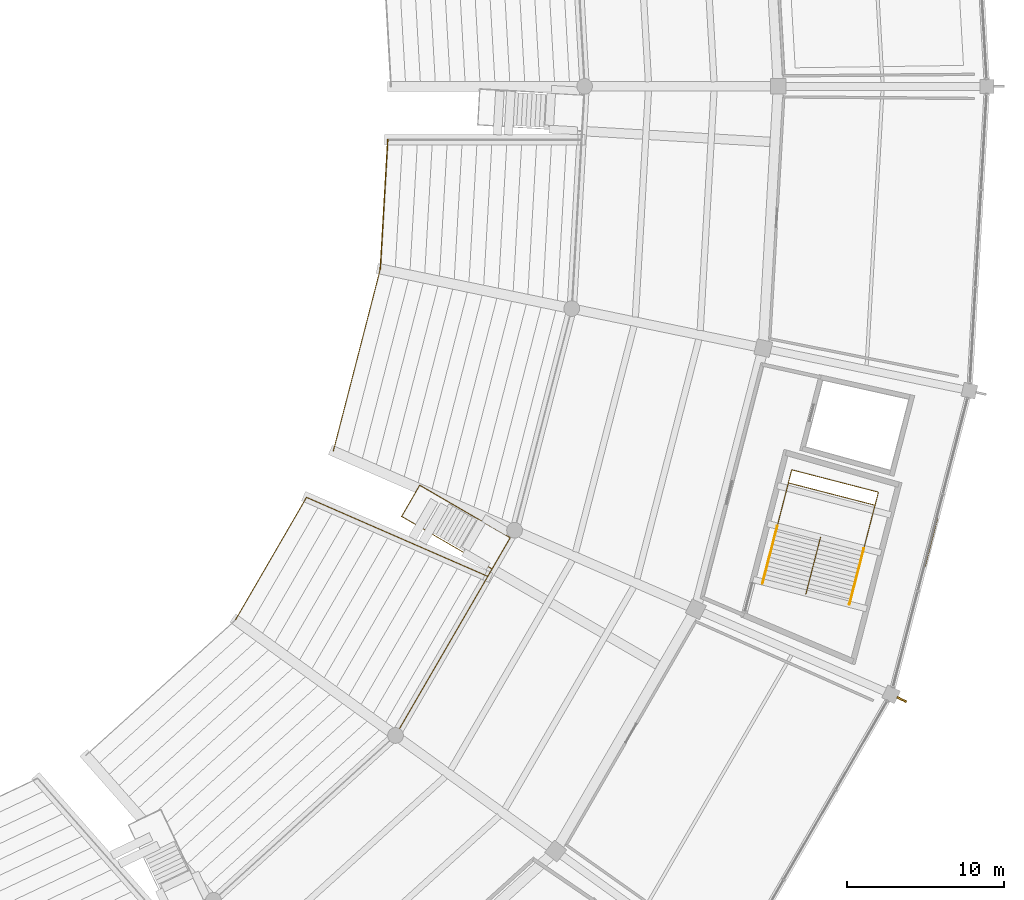
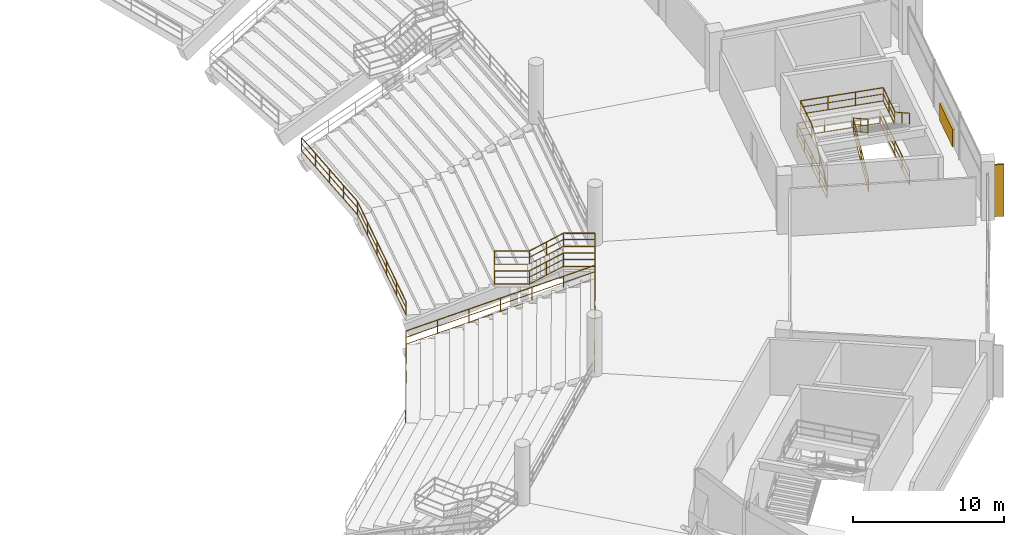
# One storey, part 149 of 156: 11 railings, 2 shading devices.
"""IFC4 building model written with IfcOpenShell, lengths in metres."""

from ifc_helpers import new_model, si_unit, direction, frame, origin, origin_2d, place, context, subcontext, project, spatial, rectangle, extrude, material, type_object, element, save


model = new_model("IFC4")

# Units and contexts
model_context = context("Model", 3, precision=1e-05, world=origin(), true_north=direction((0.0, 1.0)))
body_context = subcontext(model_context, "Body", "Model", "MODEL_VIEW")
ifc_project = project(units=[si_unit("LENGTHUNIT", "METRE"), si_unit("AREAUNIT", "SQUARE_METRE"), si_unit("VOLUMEUNIT", "CUBIC_METRE"), si_unit("PLANEANGLEUNIT", "RADIAN"), si_unit("MASSUNIT", "GRAM", prefix="KILO")], contexts=[model_context])

# Site, building, storey
site_placement = place(None, origin())
site = spatial("IfcSite", under=ifc_project, at=site_placement, CompositionType="ELEMENT")
building_placement = place(site_placement, origin())
building = spatial("IfcBuilding", under=site, at=building_placement, Name="Kazemori Nagisa Stadium", CompositionType="ELEMENT")
storey_placement = place(building_placement, frame((0.0, 0.0, 5.780029296875)))
storey = spatial("IfcBuildingStorey", under=building, at=storey_placement, Name="L01", CompositionType="ELEMENT", Elevation=5.780029296875)

# Shading devices
ifc_material_1 = material(Name="Aluminium 6063-T5 anodised", Category="aluminium")
shading_device_type_1 = type_object("IfcShadingDeviceType", Name="Fin_FN01", PredefinedType="USERDEFINED", material=ifc_material_1)
shading_device_1_placement = place(storey_placement, frame((212.565185546875, 62.9228515625, 0.0), z_axis=(0.0, 0.0, 1.0), x_axis=(0.900968867905, -0.433883739113, 0.0)))
element("IfcShadingDevice", 1, at=shading_device_1_placement, inside=storey, type_object=shading_device_type_1, Name="Aerodynamic wave shading fin L01-27", ObjectType="FIN", PredefinedType="USERDEFINED", context=body_context, shape_type="SweptSolid", body=[
    extrude(rectangle(XDim=0.64990234375, YDim=0.1201171875, at=origin_2d()), origin(), (0.0, 0.0, 1.0), 4.199951171875),
])
shading_device_type_2 = type_object("IfcShadingDeviceType", Name="Louvre_LV01", PredefinedType="JALOUSIE", material=ifc_material_1)
shading_device_2_placement = place(storey_placement, frame((214.3828125, 72.92626953125, -0.010009765625), z_axis=(0.0, 0.0, 1.0), x_axis=(0.249964642418, 0.968254965152, 0.0)))
element("IfcShadingDevice", 2, at=shading_device_2_placement, inside=storey, type_object=shading_device_type_2, Name="Concourse ventilation louvre L01-B27", PredefinedType="JALOUSIE", context=body_context, shape_type="SweptSolid", body=[
    extrude(rectangle(XDim=3.199951171875, YDim=0.179931640625, at=origin_2d()), origin(), (0.0, 0.0, 1.0), 1.39990234375),
])

# Railings
ifc_material_2 = material(Name="Laminated safety glass and stainless steel SUS304", Category="steel")
railing_type_1 = type_object("IfcRailingType", Name="Rail_BAL", PredefinedType="BALUSTRADE", material=ifc_material_2)
railing_1_placement = place(storey_placement, frame((180.301513671875, 60.632568359375, 0.0)))
element("IfcRailing", 3, at=railing_1_placement, inside=storey, type_object=railing_type_1, Name="Concourse bowl balustrade L01-B26", PredefinedType="BALUSTRADE", context=body_context, shape_type="SweptSolid", body=[
    extrude(rectangle(XDim=0.050048828125, YDim=0.050048828125, at=origin_2d()), frame((0.0, 0.0, 1.09521484375), z_axis=(0.501614770263, 0.865091106332, 0.0), x_axis=(-0.865091106332, 0.501614770263, 0.0)), (0.0, 0.0, 1.0), 14.570068359375),
    extrude(rectangle(XDim=0.03759765625, YDim=0.03759765625, at=origin_2d()), frame((0.0, 0.0, 0.58251953125), z_axis=(0.501614770263, 0.865091106332, 0.0), x_axis=(-0.865091106332, 0.501614770263, 0.0)), (0.0, 0.0, 1.0), 14.570068359375),
    extrude(rectangle(XDim=0.03759765625, YDim=0.03759765625, at=origin_2d()), frame((0.0, 0.0, 0.02490234375), z_axis=(0.501614770263, 0.865091106332, 0.0), x_axis=(-0.865091106332, 0.501614770263, 0.0)), (0.0, 0.0, 1.0), 14.570068359375),
    extrude(rectangle(XDim=0.044921875, YDim=0.044921875, at=origin_2d()), origin(), (0.0, 0.0, 1.0), 1.070068359375),
    extrude(rectangle(XDim=0.044921875, YDim=0.044921875, at=origin_2d()), frame((1.044189453125, 1.800537109375, 0.0)), (0.0, 0.0, 1.0), 1.070068359375),
    extrude(rectangle(XDim=0.044921875, YDim=0.044921875, at=origin_2d()), frame((2.088134765625, 3.601318359375, 0.0)), (0.0, 0.0, 1.0), 1.070068359375),
    extrude(rectangle(XDim=0.044921875, YDim=0.044921875, at=origin_2d()), frame((3.13232421875, 5.40185546875, 0.0)), (0.0, 0.0, 1.0), 1.070068359375),
    extrude(rectangle(XDim=0.044921875, YDim=0.044921875, at=origin_2d()), frame((4.17626953125, 7.20263671875, 0.0)), (0.0, 0.0, 1.0), 1.070068359375),
    extrude(rectangle(XDim=0.044921875, YDim=0.044921875, at=origin_2d()), frame((5.220458984375, 9.003173828125, 0.0)), (0.0, 0.0, 1.0), 1.070068359375),
    extrude(rectangle(XDim=0.044921875, YDim=0.044921875, at=origin_2d()), frame((6.264404296875, 10.803955078125, 0.0)), (0.0, 0.0, 1.0), 1.070068359375),
    extrude(rectangle(XDim=0.044921875, YDim=0.044921875, at=origin_2d()), frame((7.30859375, 12.6044921875, 0.0)), (0.0, 0.0, 1.0), 1.070068359375),
])
ifc_material_3 = material(Name="Galvanised powder-coated steel", Category="steel")
railing_type_2 = type_object("IfcRailingType", Name="Rail_GUARD", PredefinedType="GUARDRAIL", material=ifc_material_3)
railing_2_placement = place(storey_placement, frame((203.708740234375, 70.41650390625, 0.0)))
element("IfcRailing", 4, at=railing_2_placement, inside=storey, type_object=railing_type_2, Name="Stair well perimeter guard ST10-L01", PredefinedType="GUARDRAIL", context=body_context, shape_type="SweptSolid", body=[
    extrude(rectangle(XDim=0.050048828125, YDim=0.050048828125, at=origin_2d()), frame((0.0, 0.0, 1.09521484375), z_axis=(0.249962060638, 0.96825563166, 0.0), x_axis=(-0.96825563166, 0.249962060638, 0.0)), (0.0, 0.0, 1.0), 7.380126953125),
    extrude(rectangle(XDim=0.03759765625, YDim=0.03759765625, at=origin_2d()), frame((0.0, 0.0, 0.58251953125), z_axis=(0.249962060638, 0.96825563166, 0.0), x_axis=(-0.96825563166, 0.249962060638, 0.0)), (0.0, 0.0, 1.0), 7.380126953125),
    extrude(rectangle(XDim=0.03759765625, YDim=0.03759765625, at=origin_2d()), frame((0.0, 0.0, 0.02490234375), z_axis=(0.249962060638, 0.96825563166, 0.0), x_axis=(-0.96825563166, 0.249962060638, 0.0)), (0.0, 0.0, 1.0), 7.380126953125),
    extrude(rectangle(XDim=0.050048828125, YDim=0.050048828125, at=origin_2d()), frame((1.8447265625, 7.145751953125, 1.09521484375), z_axis=(0.968254587534, -0.249966105142, 0.0), x_axis=(0.249966105142, 0.968254587534, 0.0)), (0.0, 0.0, 1.0), 5.699951171875),
    extrude(rectangle(XDim=0.03759765625, YDim=0.03759765625, at=origin_2d()), frame((1.8447265625, 7.145751953125, 0.58251953125), z_axis=(0.968254587534, -0.249966105142, 0.0), x_axis=(0.249966105142, 0.968254587534, 0.0)), (0.0, 0.0, 1.0), 5.699951171875),
    extrude(rectangle(XDim=0.03759765625, YDim=0.03759765625, at=origin_2d()), frame((1.8447265625, 7.145751953125, 0.02490234375), z_axis=(0.968254587534, -0.249966105142, 0.0), x_axis=(0.249966105142, 0.968254587534, 0.0)), (0.0, 0.0, 1.0), 5.699951171875),
    extrude(rectangle(XDim=0.050048828125, YDim=0.050048828125, at=origin_2d()), frame((7.36376953125, 5.720947265625, 1.09521484375), z_axis=(-0.249962060638, -0.96825563166, 0.0), x_axis=(0.96825563166, -0.249962060638, 0.0)), (0.0, 0.0, 1.0), 7.380126953125),
    extrude(rectangle(XDim=0.03759765625, YDim=0.03759765625, at=origin_2d()), frame((7.36376953125, 5.720947265625, 0.58251953125), z_axis=(-0.249962060638, -0.96825563166, 0.0), x_axis=(0.96825563166, -0.249962060638, 0.0)), (0.0, 0.0, 1.0), 7.380126953125),
    extrude(rectangle(XDim=0.03759765625, YDim=0.03759765625, at=origin_2d()), frame((7.36376953125, 5.720947265625, 0.02490234375), z_axis=(-0.249962060638, -0.96825563166, 0.0), x_axis=(0.96825563166, -0.249962060638, 0.0)), (0.0, 0.0, 1.0), 7.380126953125),
    extrude(rectangle(XDim=0.044921875, YDim=0.044921875, at=origin_2d()), origin(), (0.0, 0.0, 1.0), 1.070068359375),
    extrude(rectangle(XDim=0.044921875, YDim=0.044921875, at=origin_2d()), frame((0.461181640625, 1.786376953125, 0.0)), (0.0, 0.0, 1.0), 1.070068359375),
    extrude(rectangle(XDim=0.044921875, YDim=0.044921875, at=origin_2d()), frame((0.92236328125, 3.57275390625, 0.0)), (0.0, 0.0, 1.0), 1.070068359375),
    extrude(rectangle(XDim=0.044921875, YDim=0.044921875, at=origin_2d()), frame((1.383544921875, 5.359375, 0.0)), (0.0, 0.0, 1.0), 1.070068359375),
    extrude(rectangle(XDim=0.044921875, YDim=0.044921875, at=origin_2d()), frame((1.8447265625, 7.145751953125, 0.0)), (0.0, 0.0, 1.0), 1.070068359375),
    extrude(rectangle(XDim=0.044921875, YDim=0.044921875, at=origin_2d()), frame((3.684326171875, 6.6708984375, 0.0)), (0.0, 0.0, 1.0), 1.070068359375),
    extrude(rectangle(XDim=0.044921875, YDim=0.044921875, at=origin_2d()), frame((5.524169921875, 6.19580078125, 0.0)), (0.0, 0.0, 1.0), 1.070068359375),
    extrude(rectangle(XDim=0.044921875, YDim=0.044921875, at=origin_2d()), frame((7.36376953125, 5.720947265625, 0.0)), (0.0, 0.0, 1.0), 1.070068359375),
    extrude(rectangle(XDim=0.044921875, YDim=0.044921875, at=origin_2d()), frame((6.902587890625, 3.9345703125, 0.0)), (0.0, 0.0, 1.0), 1.070068359375),
    extrude(rectangle(XDim=0.044921875, YDim=0.044921875, at=origin_2d()), frame((6.44140625, 2.14794921875, 0.0)), (0.0, 0.0, 1.0), 1.070068359375),
    extrude(rectangle(XDim=0.044921875, YDim=0.044921875, at=origin_2d()), frame((5.980224609375, 0.361572265625, 0.0)), (0.0, 0.0, 1.0), 1.070068359375),
    extrude(rectangle(XDim=0.044921875, YDim=0.044921875, at=origin_2d()), frame((5.51904296875, -1.4248046875, 0.0)), (0.0, 0.0, 1.0), 1.070068359375),
])
railing_3_placement = place(storey_placement, frame((206.4482421875, 69.626708984375, 0.0)))
element("IfcRailing", 5, at=railing_3_placement, inside=storey, type_object=railing_type_2, Name="Stair central guard ST10-L01", PredefinedType="GUARDRAIL", context=body_context, shape_type="SweptSolid", body=[
    extrude(rectangle(XDim=0.050048828125, YDim=0.050048828125, at=origin_2d()), frame((0.0, 0.0, 1.09521484375), z_axis=(0.211103181909, 0.817832618365, 0.535336580971), x_axis=(-0.968263113111, 0.249933078619, 0.0)), (0.0, 0.0, 1.0), 4.445556640625),
    extrude(rectangle(XDim=0.03759765625, YDim=0.03759765625, at=origin_2d()), frame((0.0, 0.0, 0.58251953125), z_axis=(0.211103181909, 0.817832618365, 0.535336580971), x_axis=(-0.968263113111, 0.249933078619, 0.0)), (0.0, 0.0, 1.0), 4.445556640625),
    extrude(rectangle(XDim=0.03759765625, YDim=0.03759765625, at=origin_2d()), frame((0.0, 0.0, 0.02490234375), z_axis=(0.211103181909, 0.817832618365, 0.535336580971), x_axis=(-0.968263113111, 0.249933078619, 0.0)), (0.0, 0.0, 1.0), 4.445556640625),
    extrude(rectangle(XDim=0.050048828125, YDim=0.050048828125, at=origin_2d()), frame((0.9384765625, 3.6357421875, 3.47509765625), z_axis=(-0.209769833821, -0.812704765535, 0.543606089825), x_axis=(0.96826591561, -0.249922221237, 0.0)), (0.0, 0.0, 1.0), 4.37841796875),
    extrude(rectangle(XDim=0.03759765625, YDim=0.03759765625, at=origin_2d()), frame((0.9384765625, 3.6357421875, 2.96240234375), z_axis=(-0.209769833821, -0.812704765535, 0.543606089825), x_axis=(0.96826591561, -0.249922221237, 0.0)), (0.0, 0.0, 1.0), 4.37841796875),
    extrude(rectangle(XDim=0.03759765625, YDim=0.03759765625, at=origin_2d()), frame((0.9384765625, 3.6357421875, 2.40478515625), z_axis=(-0.209769833821, -0.812704765535, 0.543606089825), x_axis=(0.96826591561, -0.249922221237, 0.0)), (0.0, 0.0, 1.0), 4.37841796875),
    extrude(rectangle(XDim=0.044921875, YDim=0.044921875, at=origin_2d()), origin(), (0.0, 0.0, 1.0), 1.070068359375),
    extrude(rectangle(XDim=0.044921875, YDim=0.044921875, at=origin_2d()), frame((0.46923828125, 1.81787109375, 1.18994140625)), (0.0, 0.0, 1.0), 1.070068359375),
    extrude(rectangle(XDim=0.044921875, YDim=0.044921875, at=origin_2d()), frame((0.9384765625, 3.6357421875, 2.3798828125)), (0.0, 0.0, 1.0), 1.070068359375),
    extrude(rectangle(XDim=0.044921875, YDim=0.044921875, at=origin_2d()), frame((0.479248046875, 1.8564453125, 3.56982421875)), (0.0, 0.0, 1.0), 1.070068359375),
    extrude(rectangle(XDim=0.044921875, YDim=0.044921875, at=origin_2d()), frame((0.02001953125, 0.077392578125, 4.760009765625)), (0.0, 0.0, 1.0), 1.070068359375),
])
railing_4_placement = place(storey_placement, frame((204.627197265625, 73.974853515625, 2.3798828125)))
element("IfcRailing", 6, at=railing_4_placement, inside=storey, type_object=railing_type_2, Name="Stair landing guard ST10-L01", PredefinedType="GUARDRAIL", context=body_context, shape_type="SweptSolid", body=[
    extrude(rectangle(XDim=0.050048828125, YDim=0.050048828125, at=origin_2d()), frame((0.0, 0.0, 1.09521484375), z_axis=(0.249966105142, 0.968254587534, 0.0), x_axis=(-0.968254587534, 0.249966105142, 0.0)), (0.0, 0.0, 1.0), 2.85009765625),
    extrude(rectangle(XDim=0.03759765625, YDim=0.03759765625, at=origin_2d()), frame((0.0, 0.0, 0.58251953125), z_axis=(0.249966105142, 0.968254587534, 0.0), x_axis=(-0.968254587534, 0.249966105142, 0.0)), (0.0, 0.0, 1.0), 2.85009765625),
    extrude(rectangle(XDim=0.03759765625, YDim=0.03759765625, at=origin_2d()), frame((0.0, 0.0, 0.02490234375), z_axis=(0.249966105142, 0.968254587534, 0.0), x_axis=(-0.968254587534, 0.249966105142, 0.0)), (0.0, 0.0, 1.0), 2.85009765625),
    extrude(rectangle(XDim=0.050048828125, YDim=0.050048828125, at=origin_2d()), frame((0.71240234375, 2.759521484375, 1.09521484375), z_axis=(0.968257263626, -0.249955738953, 0.0), x_axis=(0.249955738953, 0.968257263626, 0.0)), (0.0, 0.0, 1.0), 5.7001953125),
    extrude(rectangle(XDim=0.03759765625, YDim=0.03759765625, at=origin_2d()), frame((0.71240234375, 2.759521484375, 0.58251953125), z_axis=(0.968257263626, -0.249955738953, 0.0), x_axis=(0.249955738953, 0.968257263626, 0.0)), (0.0, 0.0, 1.0), 5.7001953125),
    extrude(rectangle(XDim=0.03759765625, YDim=0.03759765625, at=origin_2d()), frame((0.71240234375, 2.759521484375, 0.02490234375), z_axis=(0.968257263626, -0.249955738953, 0.0), x_axis=(0.249955738953, 0.968257263626, 0.0)), (0.0, 0.0, 1.0), 5.7001953125),
    extrude(rectangle(XDim=0.050048828125, YDim=0.050048828125, at=origin_2d()), frame((6.231689453125, 1.334716796875, 1.09521484375), z_axis=(-0.249966105142, -0.968254587534, 0.0), x_axis=(0.968254587534, -0.249966105142, 0.0)), (0.0, 0.0, 1.0), 2.85009765625),
    extrude(rectangle(XDim=0.03759765625, YDim=0.03759765625, at=origin_2d()), frame((6.231689453125, 1.334716796875, 0.58251953125), z_axis=(-0.249966105142, -0.968254587534, 0.0), x_axis=(0.968254587534, -0.249966105142, 0.0)), (0.0, 0.0, 1.0), 2.85009765625),
    extrude(rectangle(XDim=0.03759765625, YDim=0.03759765625, at=origin_2d()), frame((6.231689453125, 1.334716796875, 0.02490234375), z_axis=(-0.249966105142, -0.968254587534, 0.0), x_axis=(0.968254587534, -0.249966105142, 0.0)), (0.0, 0.0, 1.0), 2.85009765625),
    extrude(rectangle(XDim=0.044921875, YDim=0.044921875, at=origin_2d()), origin(), (0.0, 0.0, 1.0), 1.070068359375),
    extrude(rectangle(XDim=0.044921875, YDim=0.044921875, at=origin_2d()), frame((0.356201171875, 1.3798828125, 0.0)), (0.0, 0.0, 1.0), 1.070068359375),
    extrude(rectangle(XDim=0.044921875, YDim=0.044921875, at=origin_2d()), frame((0.71240234375, 2.759521484375, 0.0)), (0.0, 0.0, 1.0), 1.070068359375),
    extrude(rectangle(XDim=0.044921875, YDim=0.044921875, at=origin_2d()), frame((2.55224609375, 2.28466796875, 0.0)), (0.0, 0.0, 1.0), 1.070068359375),
    extrude(rectangle(XDim=0.044921875, YDim=0.044921875, at=origin_2d()), frame((4.391845703125, 1.8095703125, 0.0)), (0.0, 0.0, 1.0), 1.070068359375),
    extrude(rectangle(XDim=0.044921875, YDim=0.044921875, at=origin_2d()), frame((6.231689453125, 1.334716796875, 0.0)), (0.0, 0.0, 1.0), 1.070068359375),
    extrude(rectangle(XDim=0.044921875, YDim=0.044921875, at=origin_2d()), frame((5.87548828125, -0.044921875, 0.0)), (0.0, 0.0, 1.0), 1.070068359375),
    extrude(rectangle(XDim=0.044921875, YDim=0.044921875, at=origin_2d()), frame((5.519287109375, -1.4248046875, 0.0)), (0.0, 0.0, 1.0), 1.070068359375),
])
railing_5_placement = place(storey_placement, frame((187.610107421875, 73.237060546875, 0.0)))
element("IfcRailing", 7, at=railing_5_placement, inside=storey, type_object=railing_type_2, Name="Vomitory stair guard VL11", PredefinedType="GUARDRAIL", context=body_context, shape_type="SweptSolid", body=[
    extrude(rectangle(XDim=0.050048828125, YDim=0.050048828125, at=origin_2d()), frame((0.0, 0.0, 1.09521484375), z_axis=(-0.865070542183, 0.501650233775, 0.0), x_axis=(-0.501650233775, -0.865070542183, 0.0)), (0.0, 0.0, 1.0), 2.10009765625),
    extrude(rectangle(XDim=0.03759765625, YDim=0.03759765625, at=origin_2d()), frame((0.0, 0.0, 0.58251953125), z_axis=(-0.865070542183, 0.501650233775, 0.0), x_axis=(-0.501650233775, -0.865070542183, 0.0)), (0.0, 0.0, 1.0), 2.10009765625),
    extrude(rectangle(XDim=0.03759765625, YDim=0.03759765625, at=origin_2d()), frame((0.0, 0.0, 0.02490234375), z_axis=(-0.865070542183, 0.501650233775, 0.0), x_axis=(-0.501650233775, -0.865070542183, 0.0)), (0.0, 0.0, 1.0), 2.10009765625),
    extrude(rectangle(XDim=0.050048828125, YDim=0.050048828125, at=origin_2d()), frame((-1.816650390625, 1.053466796875, 1.09521484375), z_axis=(-0.728688652937, 0.422425555484, -0.539044986206), x_axis=(-0.501528081562, -0.865141366139, 0.0)), (0.0, 0.0, 1.0), 2.67138671875),
    extrude(rectangle(XDim=0.03759765625, YDim=0.03759765625, at=origin_2d()), frame((-1.816650390625, 1.053466796875, 0.58251953125), z_axis=(-0.728688652937, 0.422425555484, -0.539044986206), x_axis=(-0.501528081562, -0.865141366139, 0.0)), (0.0, 0.0, 1.0), 2.67138671875),
    extrude(rectangle(XDim=0.03759765625, YDim=0.03759765625, at=origin_2d()), frame((-1.816650390625, 1.053466796875, 0.02490234375), z_axis=(-0.728688652937, 0.422425555484, -0.539044986206), x_axis=(-0.501528081562, -0.865141366139, 0.0)), (0.0, 0.0, 1.0), 2.67138671875),
    extrude(rectangle(XDim=0.050048828125, YDim=0.050048828125, at=origin_2d()), frame((-3.76318359375, 2.181884765625, -0.3447265625), z_axis=(-0.865085074212, 0.501625173187, 0.0), x_axis=(-0.501625173187, -0.865085074212, 0.0)), (0.0, 0.0, 1.0), 2.320068359375),
    extrude(rectangle(XDim=0.03759765625, YDim=0.03759765625, at=origin_2d()), frame((-3.76318359375, 2.181884765625, -0.857421875), z_axis=(-0.865085074212, 0.501625173187, 0.0), x_axis=(-0.501625173187, -0.865085074212, 0.0)), (0.0, 0.0, 1.0), 2.320068359375),
    extrude(rectangle(XDim=0.03759765625, YDim=0.03759765625, at=origin_2d()), frame((-3.76318359375, 2.181884765625, -1.4150390625), z_axis=(-0.865085074212, 0.501625173187, 0.0), x_axis=(-0.501625173187, -0.865085074212, 0.0)), (0.0, 0.0, 1.0), 2.320068359375),
    extrude(rectangle(XDim=0.050048828125, YDim=0.050048828125, at=origin_2d()), frame((-5.770263671875, 3.345703125, -0.3447265625), z_axis=(-0.501559221539, -0.865123313343, 0.0), x_axis=(0.865123313343, -0.501559221539, 0.0)), (0.0, 0.0, 1.0), 2.300048828125),
    extrude(rectangle(XDim=0.03759765625, YDim=0.03759765625, at=origin_2d()), frame((-5.770263671875, 3.345703125, -0.857421875), z_axis=(-0.501559221539, -0.865123313343, 0.0), x_axis=(0.865123313343, -0.501559221539, 0.0)), (0.0, 0.0, 1.0), 2.300048828125),
    extrude(rectangle(XDim=0.03759765625, YDim=0.03759765625, at=origin_2d()), frame((-5.770263671875, 3.345703125, -1.4150390625), z_axis=(-0.501559221539, -0.865123313343, 0.0), x_axis=(0.865123313343, -0.501559221539, 0.0)), (0.0, 0.0, 1.0), 2.300048828125),
    extrude(rectangle(XDim=0.050048828125, YDim=0.050048828125, at=origin_2d()), frame((-6.923828125, 1.35595703125, -0.3447265625), z_axis=(0.865130736866, -0.501546416726, 0.0), x_axis=(0.501546416726, 0.865130736866, 0.0)), (0.0, 0.0, 1.0), 2.320068359375),
    extrude(rectangle(XDim=0.03759765625, YDim=0.03759765625, at=origin_2d()), frame((-6.923828125, 1.35595703125, -0.857421875), z_axis=(0.865130736866, -0.501546416726, 0.0), x_axis=(0.501546416726, 0.865130736866, 0.0)), (0.0, 0.0, 1.0), 2.320068359375),
    extrude(rectangle(XDim=0.03759765625, YDim=0.03759765625, at=origin_2d()), frame((-6.923828125, 1.35595703125, -1.4150390625), z_axis=(0.865130736866, -0.501546416726, 0.0), x_axis=(0.501546416726, 0.865130736866, 0.0)), (0.0, 0.0, 1.0), 2.320068359375),
    extrude(rectangle(XDim=0.050048828125, YDim=0.050048828125, at=origin_2d()), frame((-4.916748046875, 0.1923828125, -0.3447265625), z_axis=(0.72861764717, -0.422528773566, 0.539060070624), x_axis=(0.501656377923, 0.865066979192, 0.0)), (0.0, 0.0, 1.0), 2.671142578125),
    extrude(rectangle(XDim=0.03759765625, YDim=0.03759765625, at=origin_2d()), frame((-4.916748046875, 0.1923828125, -0.857421875), z_axis=(0.72861764717, -0.422528773566, 0.539060070624), x_axis=(0.501656377923, 0.865066979192, 0.0)), (0.0, 0.0, 1.0), 2.671142578125),
    extrude(rectangle(XDim=0.03759765625, YDim=0.03759765625, at=origin_2d()), frame((-4.916748046875, 0.1923828125, -1.4150390625), z_axis=(0.72861764717, -0.422528773566, 0.539060070624), x_axis=(0.501656377923, 0.865066979192, 0.0)), (0.0, 0.0, 1.0), 2.671142578125),
    extrude(rectangle(XDim=0.050048828125, YDim=0.050048828125, at=origin_2d()), frame((-2.970458984375, -0.936279296875, 1.09521484375), z_axis=(0.865070542183, -0.501650233775, 0.0), x_axis=(0.501650233775, 0.865070542183, 0.0)), (0.0, 0.0, 1.0), 2.10009765625),
    extrude(rectangle(XDim=0.03759765625, YDim=0.03759765625, at=origin_2d()), frame((-2.970458984375, -0.936279296875, 0.58251953125), z_axis=(0.865070542183, -0.501650233775, 0.0), x_axis=(0.501650233775, 0.865070542183, 0.0)), (0.0, 0.0, 1.0), 2.10009765625),
    extrude(rectangle(XDim=0.03759765625, YDim=0.03759765625, at=origin_2d()), frame((-2.970458984375, -0.936279296875, 0.02490234375), z_axis=(0.865070542183, -0.501650233775, 0.0), x_axis=(0.501650233775, 0.865070542183, 0.0)), (0.0, 0.0, 1.0), 2.10009765625),
    extrude(rectangle(XDim=0.044921875, YDim=0.044921875, at=origin_2d()), origin(), (0.0, 0.0, 1.0), 1.070068359375),
    extrude(rectangle(XDim=0.044921875, YDim=0.044921875, at=origin_2d()), frame((-1.816650390625, 1.053466796875, 0.0)), (0.0, 0.0, 1.0), 1.070068359375),
    extrude(rectangle(XDim=0.044921875, YDim=0.044921875, at=origin_2d()), frame((-2.7900390625, 1.61767578125, -0.719970703125)), (0.0, 0.0, 1.0), 1.070068359375),
    extrude(rectangle(XDim=0.044921875, YDim=0.044921875, at=origin_2d()), frame((-3.76318359375, 2.181884765625, -1.43994140625)), (0.0, 0.0, 1.0), 1.070068359375),
    extrude(rectangle(XDim=0.044921875, YDim=0.044921875, at=origin_2d()), frame((-5.770263671875, 3.345703125, -1.43994140625)), (0.0, 0.0, 1.0), 1.070068359375),
    extrude(rectangle(XDim=0.044921875, YDim=0.044921875, at=origin_2d()), frame((-6.923828125, 1.35595703125, -1.43994140625)), (0.0, 0.0, 1.0), 1.070068359375),
    extrude(rectangle(XDim=0.044921875, YDim=0.044921875, at=origin_2d()), frame((-4.916748046875, 0.1923828125, -1.43994140625)), (0.0, 0.0, 1.0), 1.070068359375),
    extrude(rectangle(XDim=0.044921875, YDim=0.044921875, at=origin_2d()), frame((-3.943603515625, -0.3720703125, -0.719970703125)), (0.0, 0.0, 1.0), 1.070068359375),
    extrude(rectangle(XDim=0.044921875, YDim=0.044921875, at=origin_2d()), frame((-2.970458984375, -0.936279296875, 0.0)), (0.0, 0.0, 1.0), 1.070068359375),
    extrude(rectangle(XDim=0.044921875, YDim=0.044921875, at=origin_2d()), frame((-1.15380859375, -1.98974609375, 0.0)), (0.0, 0.0, 1.0), 1.070068359375),
])
railing_6_placement = place(storey_placement, frame((170.09716796875, 67.99951171875, -4.919921875)))
element("IfcRailing", 8, at=railing_6_placement, inside=storey, type_object=railing_type_2, Name="Lower tier pitch-side crowd barrier B26", PredefinedType="GUARDRAIL", context=body_context, shape_type="SweptSolid", body=[
    extrude(rectangle(XDim=0.050048828125, YDim=0.050048828125, at=origin_2d()), frame((0.0, 0.0, 1.09521484375), z_axis=(0.501627829618, 0.865083533858, 0.0), x_axis=(-0.865083533858, 0.501627829618, 0.0)), (0.0, 0.0, 1.0), 9.02734375),
    extrude(rectangle(XDim=0.03759765625, YDim=0.03759765625, at=origin_2d()), frame((0.0, 0.0, 0.58251953125), z_axis=(0.501627829618, 0.865083533858, 0.0), x_axis=(-0.865083533858, 0.501627829618, 0.0)), (0.0, 0.0, 1.0), 9.02734375),
    extrude(rectangle(XDim=0.03759765625, YDim=0.03759765625, at=origin_2d()), frame((0.0, 0.0, 0.02490234375), z_axis=(0.501627829618, 0.865083533858, 0.0), x_axis=(-0.865083533858, 0.501627829618, 0.0)), (0.0, 0.0, 1.0), 9.02734375),
    extrude(rectangle(XDim=0.044921875, YDim=0.044921875, at=origin_2d()), origin(), (0.0, 0.0, 1.0), 1.070068359375),
    extrude(rectangle(XDim=0.044921875, YDim=0.044921875, at=origin_2d()), frame((1.132080078125, 1.952392578125, 0.0)), (0.0, 0.0, 1.0), 1.070068359375),
    extrude(rectangle(XDim=0.044921875, YDim=0.044921875, at=origin_2d()), frame((2.26416015625, 3.90478515625, 0.0)), (0.0, 0.0, 1.0), 1.070068359375),
    extrude(rectangle(XDim=0.044921875, YDim=0.044921875, at=origin_2d()), frame((3.396240234375, 5.85693359375, 0.0)), (0.0, 0.0, 1.0), 1.070068359375),
    extrude(rectangle(XDim=0.044921875, YDim=0.044921875, at=origin_2d()), frame((4.5283203125, 7.809326171875, 0.0)), (0.0, 0.0, 1.0), 1.070068359375),
])
railing_7_placement = place(storey_placement, frame((174.62548828125, 75.808837890625, -4.919921875)))
element("IfcRailing", 9, at=railing_7_placement, inside=storey, type_object=railing_type_2, Name="Lower tier vomitory aisle guard B26", PredefinedType="GUARDRAIL", context=body_context, shape_type="SweptSolid", body=[
    extrude(rectangle(XDim=0.050048828125, YDim=0.050048828125, at=origin_2d()), frame((0.0, 0.0, 1.09521484375), z_axis=(0.86717007393, -0.378041372845, 0.324192509627), x_axis=(0.399624648835, 0.916678864185, 0.0)), (0.0, 0.0, 1.0), 13.324951171875),
    extrude(rectangle(XDim=0.03759765625, YDim=0.03759765625, at=origin_2d()), frame((0.0, 0.0, 0.58251953125), z_axis=(0.86717007393, -0.378041372845, 0.324192509627), x_axis=(0.399624648835, 0.916678864185, 0.0)), (0.0, 0.0, 1.0), 13.324951171875),
    extrude(rectangle(XDim=0.03759765625, YDim=0.03759765625, at=origin_2d()), frame((0.0, 0.0, 0.02490234375), z_axis=(0.86717007393, -0.378041372845, 0.324192509627), x_axis=(0.399624648835, 0.916678864185, 0.0)), (0.0, 0.0, 1.0), 13.324951171875),
    extrude(rectangle(XDim=0.044921875, YDim=0.044921875, at=origin_2d()), origin(), (0.0, 0.0, 1.0), 1.070068359375),
    extrude(rectangle(XDim=0.044921875, YDim=0.044921875, at=origin_2d()), frame((1.92578125, -0.839599609375, 0.719970703125)), (0.0, 0.0, 1.0), 1.070068359375),
    extrude(rectangle(XDim=0.044921875, YDim=0.044921875, at=origin_2d()), frame((3.8515625, -1.67919921875, 1.43994140625)), (0.0, 0.0, 1.0), 1.070068359375),
    extrude(rectangle(XDim=0.044921875, YDim=0.044921875, at=origin_2d()), frame((5.77734375, -2.5185546875, 2.159912109375)), (0.0, 0.0, 1.0), 1.070068359375),
    extrude(rectangle(XDim=0.044921875, YDim=0.044921875, at=origin_2d()), frame((7.703369140625, -3.358154296875, 2.8798828125)), (0.0, 0.0, 1.0), 1.070068359375),
    extrude(rectangle(XDim=0.044921875, YDim=0.044921875, at=origin_2d()), frame((9.629150390625, -4.19775390625, 3.599853515625)), (0.0, 0.0, 1.0), 1.070068359375),
    extrude(rectangle(XDim=0.044921875, YDim=0.044921875, at=origin_2d()), frame((11.554931640625, -5.037353515625, 4.31982421875)), (0.0, 0.0, 1.0), 1.070068359375),
])
railing_8_placement = place(storey_placement, frame((176.3310546875, 78.750244140625, -4.919921875)))
element("IfcRailing", 10, at=railing_8_placement, inside=storey, type_object=railing_type_2, Name="Lower tier pitch-side crowd barrier B27", PredefinedType="GUARDRAIL", context=body_context, shape_type="SweptSolid", body=[
    extrude(rectangle(XDim=0.050048828125, YDim=0.050048828125, at=origin_2d()), frame((0.0, 0.0, 1.09521484375), z_axis=(0.249948828341, 0.968259047575, 0.0), x_axis=(-0.968259047575, 0.249948828341, 0.0)), (0.0, 0.0, 1.0), 11.99169921875),
    extrude(rectangle(XDim=0.03759765625, YDim=0.03759765625, at=origin_2d()), frame((0.0, 0.0, 0.58251953125), z_axis=(0.249948828341, 0.968259047575, 0.0), x_axis=(-0.968259047575, 0.249948828341, 0.0)), (0.0, 0.0, 1.0), 11.99169921875),
    extrude(rectangle(XDim=0.03759765625, YDim=0.03759765625, at=origin_2d()), frame((0.0, 0.0, 0.02490234375), z_axis=(0.249948828341, 0.968259047575, 0.0), x_axis=(-0.968259047575, 0.249948828341, 0.0)), (0.0, 0.0, 1.0), 11.99169921875),
    extrude(rectangle(XDim=0.044921875, YDim=0.044921875, at=origin_2d()), origin(), (0.0, 0.0, 1.0), 1.070068359375),
    extrude(rectangle(XDim=0.044921875, YDim=0.044921875, at=origin_2d()), frame((0.599365234375, 2.322265625, 0.0)), (0.0, 0.0, 1.0), 1.070068359375),
    extrude(rectangle(XDim=0.044921875, YDim=0.044921875, at=origin_2d()), frame((1.198974609375, 4.64453125, 0.0)), (0.0, 0.0, 1.0), 1.070068359375),
    extrude(rectangle(XDim=0.044921875, YDim=0.044921875, at=origin_2d()), frame((1.79833984375, 6.966552734375, 0.0)), (0.0, 0.0, 1.0), 1.070068359375),
    extrude(rectangle(XDim=0.044921875, YDim=0.044921875, at=origin_2d()), frame((2.39794921875, 9.288818359375, 0.0)), (0.0, 0.0, 1.0), 1.070068359375),
    extrude(rectangle(XDim=0.044921875, YDim=0.044921875, at=origin_2d()), frame((2.997314453125, 11.611083984375, 0.0)), (0.0, 0.0, 1.0), 1.070068359375),
])
railing_9_placement = place(storey_placement, frame((179.328369140625, 90.361328125, -4.919921875)))
element("IfcRailing", 11, at=railing_9_placement, inside=storey, type_object=railing_type_2, Name="Lower tier pitch-side crowd barrier B28", PredefinedType="GUARDRAIL", context=body_context, shape_type="SweptSolid", body=[
    extrude(rectangle(XDim=0.050048828125, YDim=0.050048828125, at=origin_2d()), frame((0.0, 0.0, 1.09521484375), z_axis=(0.057619767641, 0.998338601065, 0.0), x_axis=(-0.998338601065, 0.057619767641, 0.0)), (0.0, 0.0, 1.0), 8.258056640625),
    extrude(rectangle(XDim=0.03759765625, YDim=0.03759765625, at=origin_2d()), frame((0.0, 0.0, 0.58251953125), z_axis=(0.057619767641, 0.998338601065, 0.0), x_axis=(-0.998338601065, 0.057619767641, 0.0)), (0.0, 0.0, 1.0), 8.258056640625),
    extrude(rectangle(XDim=0.03759765625, YDim=0.03759765625, at=origin_2d()), frame((0.0, 0.0, 0.02490234375), z_axis=(0.057619767641, 0.998338601065, 0.0), x_axis=(-0.998338601065, 0.057619767641, 0.0)), (0.0, 0.0, 1.0), 8.258056640625),
    extrude(rectangle(XDim=0.044921875, YDim=0.044921875, at=origin_2d()), origin(), (0.0, 0.0, 1.0), 1.070068359375),
    extrude(rectangle(XDim=0.044921875, YDim=0.044921875, at=origin_2d()), frame((0.118896484375, 2.06103515625, 0.0)), (0.0, 0.0, 1.0), 1.070068359375),
    extrude(rectangle(XDim=0.044921875, YDim=0.044921875, at=origin_2d()), frame((0.23779296875, 4.1220703125, 0.0)), (0.0, 0.0, 1.0), 1.070068359375),
    extrude(rectangle(XDim=0.044921875, YDim=0.044921875, at=origin_2d()), frame((0.35693359375, 6.183349609375, 0.0)), (0.0, 0.0, 1.0), 1.070068359375),
    extrude(rectangle(XDim=0.044921875, YDim=0.044921875, at=origin_2d()), frame((0.475830078125, 8.244384765625, 0.0)), (0.0, 0.0, 1.0), 1.070068359375),
])
ifc_material_4 = material(Name="Stainless steel SUS304", Category="steel")
railing_type_3 = type_object("IfcRailingType", Name="Rail_HAND", PredefinedType="HANDRAIL", material=ifc_material_4)
railing_10_placement = place(storey_placement, frame((203.688720703125, 70.3388671875, 0.169921875)))
element("IfcRailing", 12, at=railing_10_placement, inside=storey, type_object=railing_type_3, Name="Stair handrail ST10-L01-F1", PredefinedType="HANDRAIL", context=body_context, shape_type="SweptSolid", body=[
    extrude(rectangle(XDim=0.050048828125, YDim=0.050048828125, at=origin_2d()), frame((0.0, 0.0, 0.875), z_axis=(0.211087495357, 0.817826760758, 0.535351714942), x_axis=(-0.968267174241, 0.249917344912, 0.0)), (0.0, 0.0, 1.0), 4.44580078125),
    extrude(rectangle(XDim=0.044921875, YDim=0.044921875, at=origin_2d()), origin(), (0.0, 0.0, 1.0), 0.849853515625),
    extrude(rectangle(XDim=0.044921875, YDim=0.044921875, at=origin_2d()), frame((0.46923828125, 1.81787109375, 1.18994140625)), (0.0, 0.0, 1.0), 0.849853515625),
    extrude(rectangle(XDim=0.044921875, YDim=0.044921875, at=origin_2d()), frame((0.9384765625, 3.635986328125, 2.380126953125)), (0.0, 0.0, 1.0), 0.849853515625),
])
railing_11_placement = place(storey_placement, frame((210.146484375, 72.550048828125, 2.550048828125)))
element("IfcRailing", 13, at=railing_11_placement, inside=storey, type_object=railing_type_3, Name="Stair handrail ST10-L01-F2", PredefinedType="HANDRAIL", context=body_context, shape_type="SweptSolid", body=[
    extrude(rectangle(XDim=0.050048828125, YDim=0.050048828125, at=origin_2d()), frame((0.0, 0.0, 0.875), z_axis=(-0.209829499323, -0.812719891745, 0.543560446294), x_axis=(0.968249837593, -0.249984503524, 0.0)), (0.0, 0.0, 1.0), 4.37841796875),
    extrude(rectangle(XDim=0.044921875, YDim=0.044921875, at=origin_2d()), origin(), (0.0, 0.0, 1.0), 0.849853515625),
    extrude(rectangle(XDim=0.044921875, YDim=0.044921875, at=origin_2d()), frame((-0.45947265625, -1.779296875, 1.18994140625)), (0.0, 0.0, 1.0), 0.849853515625),
    extrude(rectangle(XDim=0.044921875, YDim=0.044921875, at=origin_2d()), frame((-0.918701171875, -3.558349609375, 2.3798828125)), (0.0, 0.0, 1.0), 0.849853515625),
])

save(model, "model.ifc")
